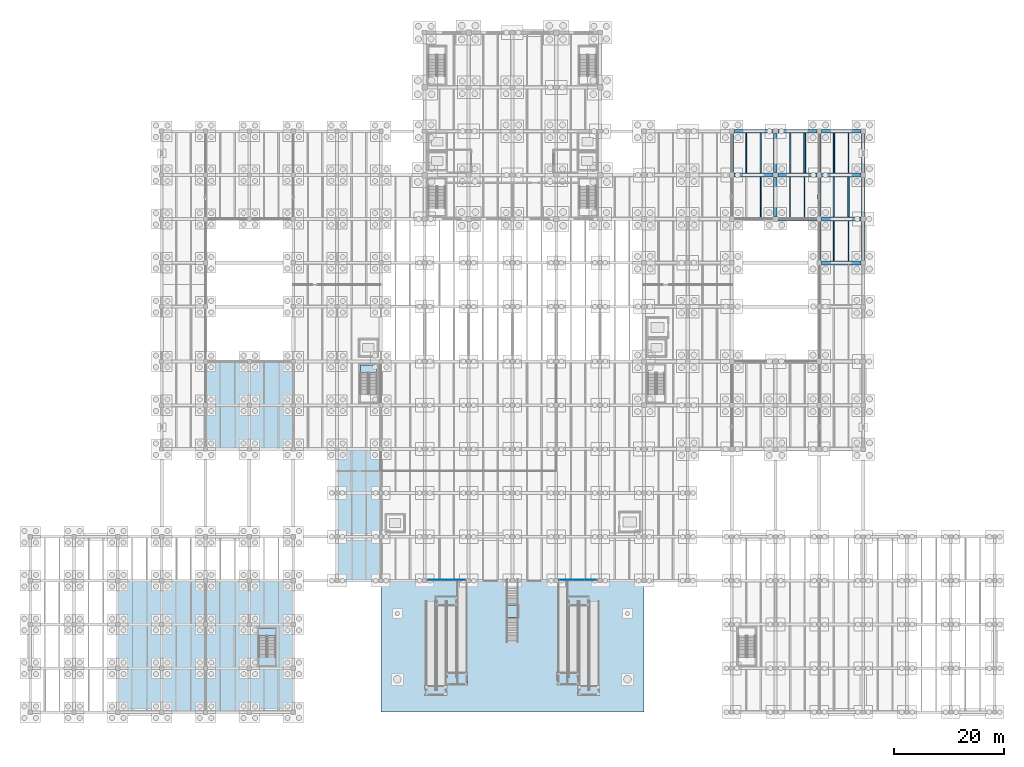
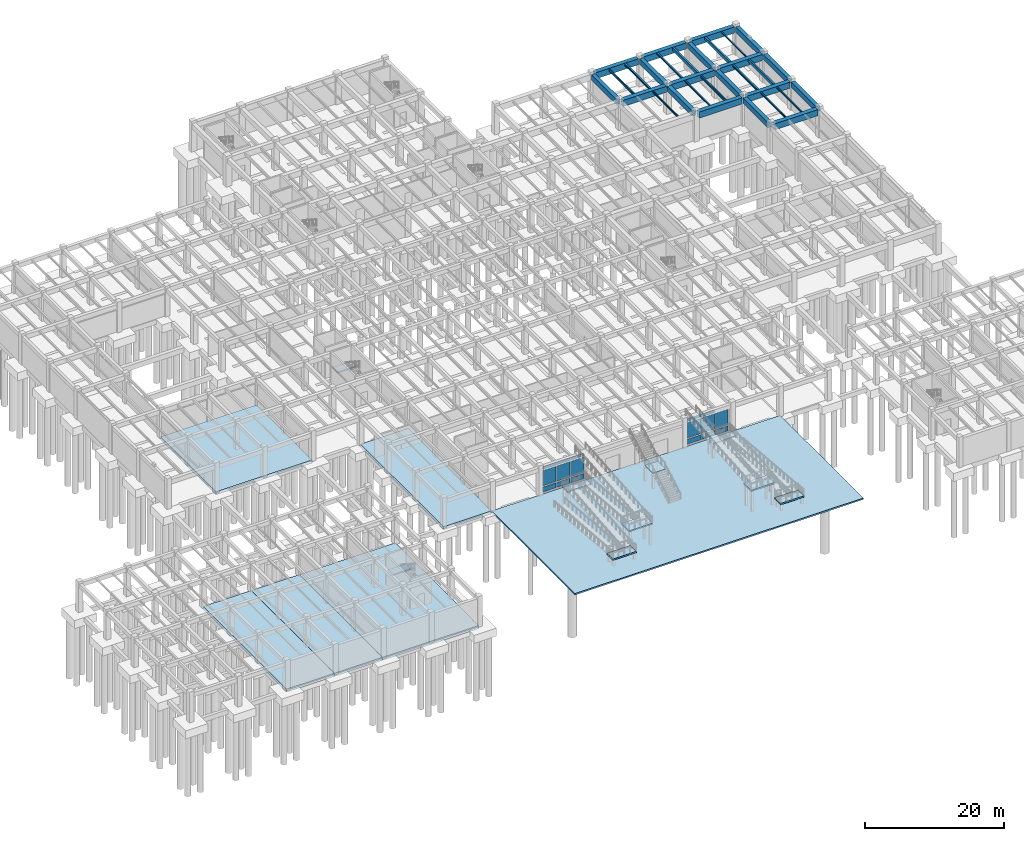
# One storey, part 22 of 44: 31 beams, 17 plates, 15 slabs, 5 elements without a shape of their own.
"""IFC4 building model written with IfcOpenShell, lengths in metres."""

from ifc_helpers import new_model, si_unit, direction, frame, origin, origin_2d, place, context, subcontext, project, spatial, polyline, rectangle, i_section, outline, extrude, material, layer, layer_set, material_profile, profile_set, type_object, element, aggregate, save


model = new_model("IFC4")

# Units and contexts
model_context = context("Model", 3, precision=1e-05, world=origin(), true_north=direction((0.0, 1.0)))
body_context = subcontext(model_context, "Body", "Model", "MODEL_VIEW")
ifc_project = project(units=[si_unit("LENGTHUNIT", "METRE"), si_unit("AREAUNIT", "SQUARE_METRE"), si_unit("VOLUMEUNIT", "CUBIC_METRE"), si_unit("PLANEANGLEUNIT", "RADIAN"), si_unit("MASSUNIT", "GRAM", prefix="KILO")], contexts=[model_context])

# Site, building, storey
site_placement = place(None, origin())
site = spatial("IfcSite", under=ifc_project, at=site_placement, CompositionType="ELEMENT")
building_placement = place(site_placement, origin())
building = spatial("IfcBuilding", under=site, at=building_placement, Name="Pecanmere Concourse Central Library", CompositionType="ELEMENT")
storey_placement = place(building_placement, frame((0.0, 0.0, -5.39990234375)))
storey = spatial("IfcBuildingStorey", under=building, at=storey_placement, Name="B1", CompositionType="ELEMENT", Elevation=-5.39990234375)

# Beams
ifc_material_1 = material(Name="Concrete C40/50", Category="concrete")
ifc_material_profile_1 = material_profile(ifc_material_1, rectangle(XDim=0.639892578125, YDim=0.949951171875, at=origin_2d()), Name="RC 640x950")
ifc_profile_set_1 = profile_set([ifc_material_profile_1], Name="Concrete C40/50")
beam_type_1 = type_object("IfcBeamType", Name="GRD_640x950", PredefinedType="USERDEFINED", material=ifc_profile_set_1)
for number, where, z_axis, x_axis, name in (
    (1, (128.0, 98.429931640625, 4.5048828125), (0.0, 1.0, 0.0), (-1.0, 0.0, 0.0), "Primary Girder Y L01-0374"),
    (2, (136.0, 90.429931640625, 4.5048828125), (0.0, 1.0, 0.0), (-1.0, 0.0, 0.0), "Primary Girder Y L01-0381"),
    (3, (136.0, 98.429931640625, 4.5048828125), (0.0, 1.0, 0.0), (-1.0, 0.0, 0.0), "Primary Girder Y L01-0382"),
    (4, (144.0, 82.429931640625, 4.5048828125), (0.0, 1.0, 0.0), (-1.0, 0.0, 0.0), "Primary Girder Y L01-0391"),
    (5, (144.0, 90.429931640625, 4.5048828125), (0.0, 1.0, 0.0), (-1.0, 0.0, 0.0), "Primary Girder Y L01-0392"),
    (6, (144.0, 98.429931640625, 4.5048828125), (0.0, 1.0, 0.0), (-1.0, 0.0, 0.0), "Primary Girder Y L01-0393"),
    (7, (152.0, 82.429931640625, 4.5048828125), (0.0, 1.0, 0.0), (-1.0, 0.0, 0.0), "Primary Girder Y L01-0402"),
    (8, (152.0, 90.429931640625, 4.5048828125), (0.0, 1.0, 0.0), (-1.0, 0.0, 0.0), "Primary Girder Y L01-0403"),
    (9, (152.0, 98.429931640625, 4.5048828125), (0.0, 1.0, 0.0), (-1.0, 0.0, 0.0), "Primary Girder Y L01-0404"),
):
    element("IfcBeam", number, at=place(storey_placement, frame(where, z_axis=z_axis, x_axis=x_axis)), inside=storey, type_object=beam_type_1, Name=name, ObjectType="GIRDER", PredefinedType="USERDEFINED", context=body_context, shape_type="SweptSolid", body=[
        extrude(rectangle(XDim=0.639892578125, YDim=0.949951171875, at=origin_2d()), origin(), (0.0, 0.0, 1.0), 7.14013671875),
    ])
ifc_material_2 = material(Name="Concrete C40/50", Category="concrete")
ifc_material_profile_2 = material_profile(ifc_material_2, rectangle(XDim=0.719970703125, YDim=1.080078125, at=origin_2d()), Name="RC 720x1080")
ifc_profile_set_2 = profile_set([ifc_material_profile_2], Name="Concrete C40/50")
beam_type_2 = type_object("IfcBeamType", Name="GRD_720x1080", PredefinedType="USERDEFINED", material=ifc_profile_set_2)
for number, where, z_axis, x_axis, name in (
    (10, (144.429931640625, 82.0, 4.43994140625), (1.0, 0.0, 0.0), (0.0, 1.0, 0.0), "Primary Girder X L01-0156"),
    (11, (136.429931640625, 90.0, 4.43994140625), (1.0, 0.0, 0.0), (0.0, 1.0, 0.0), "Primary Girder X L01-0171"),
    (12, (144.429931640625, 90.0, 4.43994140625), (1.0, 0.0, 0.0), (0.0, 1.0, 0.0), "Primary Girder X L01-0172"),
    (13, (128.429931640625, 98.0, 4.43994140625), (1.0, 0.0, 0.0), (0.0, 1.0, 0.0), "Primary Girder X L01-0186"),
    (14, (136.429931640625, 98.0, 4.43994140625), (1.0, 0.0, 0.0), (0.0, 1.0, 0.0), "Primary Girder X L01-0187"),
    (15, (144.429931640625, 98.0, 4.43994140625), (1.0, 0.0, 0.0), (0.0, 1.0, 0.0), "Primary Girder X L01-0188"),
    (16, (128.429931640625, 106.0, 4.43994140625), (1.0, 0.0, 0.0), (0.0, 1.0, 0.0), "Primary Girder X L01-0200"),
    (17, (136.429931640625, 106.0, 4.43994140625), (1.0, 0.0, 0.0), (0.0, 1.0, 0.0), "Primary Girder X L01-0201"),
    (18, (144.429931640625, 106.0, 4.43994140625), (1.0, 0.0, 0.0), (0.0, 1.0, 0.0), "Primary Girder X L01-0202"),
):
    element("IfcBeam", number, at=place(storey_placement, frame(where, z_axis=z_axis, x_axis=x_axis)), inside=storey, type_object=beam_type_2, Name=name, ObjectType="GIRDER", PredefinedType="USERDEFINED", context=body_context, shape_type="SweptSolid", body=[
        extrude(rectangle(XDim=0.719970703125, YDim=1.080078125, at=origin_2d()), origin(), (0.0, 0.0, 1.0), 7.14013671875),
    ])
ifc_material_3 = material(Name="Concrete C40/50", Category="concrete")
ifc_material_profile_3 = material_profile(ifc_material_3, rectangle(XDim=0.300048828125, YDim=0.52001953125, at=origin_2d()), Name="RC 300x520")
ifc_profile_set_3 = profile_set([ifc_material_profile_3], Name="Concrete C40/50")
beam_type_3 = type_object("IfcBeamType", Name="JST_RC_300x520", PredefinedType="JOIST", material=ifc_profile_set_3)
for number, where, z_axis, x_axis, name in (
    (19, (141.333251953125, 98.360107421875, 4.719970703125), (0.0, 1.0, 0.0), (-1.0, 0.0, 0.0), "Secondary Floor Joist L01-0712"),
    (20, (149.333251953125, 90.360107421875, 4.719970703125), (0.0, 1.0, 0.0), (-1.0, 0.0, 0.0), "Secondary Floor Joist L01-0732"),
    (21, (146.666748046875, 98.360107421875, 4.719970703125), (0.0, 1.0, 0.0), (-1.0, 0.0, 0.0), "Secondary Floor Joist L01-0733"),
):
    element("IfcBeam", number, at=place(storey_placement, frame(where, z_axis=z_axis, x_axis=x_axis)), inside=storey, type_object=beam_type_3, Name=name, PredefinedType="JOIST", context=body_context, shape_type="SweptSolid", body=[
        extrude(rectangle(XDim=0.300048828125, YDim=0.52001953125, at=origin_2d()), origin(), (0.0, 0.0, 1.0), 7.27978515625),
    ])
ifc_material_4 = material(Name="Structural steel ASTM A992 Grade 50", Category="steel")
ifc_material_profile_4 = material_profile(ifc_material_4, i_section(OverallWidth=0.1650390625, OverallDepth=0.200927734375, WebThickness=0.006103515625, FlangeThickness=0.01025390625, at=origin_2d()), Name="W200x35.9")
ifc_profile_set_4 = profile_set([ifc_material_profile_4], Name="Structural steel ASTM A992 Grade 50")
beam_type_4 = type_object("IfcBeamType", Name="SBM_W200x36", PredefinedType="LINTEL", material=ifc_profile_set_4)
beam_1_placement = place(storey_placement, frame((149.333251953125, 98.360107421875, 4.87939453125), z_axis=(0.0, 1.0, 0.0), x_axis=(-1.0, 0.0, 0.0)))
element("IfcBeam", 22, at=beam_1_placement, inside=storey, type_object=beam_type_4, Name="Secondary Floor Joist L01-0734", PredefinedType="LINTEL", context=body_context, shape_type="SweptSolid", body=[
    extrude(i_section(OverallWidth=0.1650390625, OverallDepth=0.200927734375, WebThickness=0.006103515625, FlangeThickness=0.01025390625, at=origin_2d()), origin(), (0.0, 0.0, 1.0), 7.27978515625),
])
ifc_material_5 = material(Name="Structural steel ASTM A992 Grade 50", Category="steel")
ifc_material_profile_5 = material_profile(ifc_material_5, i_section(OverallWidth=0.2041015625, OverallDepth=0.2060546875, WebThickness=0.0078125, FlangeThickness=0.0126953125, at=origin_2d()), Name="W200x52")
ifc_profile_set_5 = profile_set([ifc_material_profile_5], Name="Structural steel ASTM A992 Grade 50")
beam_type_5 = type_object("IfcBeamType", Name="SBM_W200x52", PredefinedType="JOIST", material=ifc_profile_set_5)
beam_2_placement = place(storey_placement, frame((138.666748046875, 90.360107421875, 4.876953125), z_axis=(0.0, 1.0, 0.0), x_axis=(-1.0, 0.0, 0.0)))
element("IfcBeam", 23, at=beam_2_placement, inside=storey, type_object=beam_type_5, Name="Secondary Floor Joist L01-0709", PredefinedType="JOIST", context=body_context, shape_type="SweptSolid", body=[
    extrude(i_section(OverallWidth=0.2041015625, OverallDepth=0.2060546875, WebThickness=0.0078125, FlangeThickness=0.0126953125, at=origin_2d()), origin(), (0.0, 0.0, 1.0), 7.27978515625),
])
ifc_material_6 = material(Name="Structural steel ASTM A992 Grade 50", Category="steel")
ifc_material_profile_6 = material_profile(ifc_material_6, i_section(OverallWidth=0.201904296875, OverallDepth=0.2470703125, WebThickness=0.00732421875, FlangeThickness=0.010986328125, at=origin_2d()), Name="W250x49.1")
ifc_profile_set_6 = profile_set([ifc_material_profile_6], Name="Structural steel ASTM A992 Grade 50")
beam_type_6 = type_object("IfcBeamType", Name="SBM_W250x49", PredefinedType="JOIST", material=ifc_profile_set_6)
beam_3_placement = place(storey_placement, frame((149.333251953125, 82.360107421875, 4.8564453125), z_axis=(0.0, 1.0, 0.0), x_axis=(-1.0, 0.0, 0.0)))
element("IfcBeam", 24, at=beam_3_placement, inside=storey, type_object=beam_type_6, Name="Secondary Floor Joist L01-0730", PredefinedType="JOIST", context=body_context, shape_type="SweptSolid", body=[
    extrude(i_section(OverallWidth=0.201904296875, OverallDepth=0.2470703125, WebThickness=0.00732421875, FlangeThickness=0.010986328125, at=origin_2d()), origin(), (0.0, 0.0, 1.0), 7.27978515625),
])
ifc_material_7 = material(Name="Structural steel ASTM A992 Grade 50", Category="steel")
ifc_material_profile_7 = material_profile(ifc_material_7, i_section(OverallWidth=0.25390625, OverallDepth=0.2529296875, WebThickness=0.008544921875, FlangeThickness=0.01416015625, at=origin_2d()), Name="W250x73")
ifc_profile_set_7 = profile_set([ifc_material_profile_7], Name="Structural steel ASTM A992 Grade 50")
beam_type_7 = type_object("IfcBeamType", Name="SBM_W250x73", PredefinedType="BEAM", material=ifc_profile_set_7)
beam_4_placement = place(storey_placement, frame((138.666748046875, 98.360107421875, 4.853515625), z_axis=(0.0, 1.0, 0.0), x_axis=(-1.0, 0.0, 0.0)))
element("IfcBeam", 25, at=beam_4_placement, inside=storey, type_object=beam_type_7, Name="Secondary Floor Joist L01-0711", PredefinedType="BEAM", context=body_context, shape_type="SweptSolid", body=[
    extrude(i_section(OverallWidth=0.25390625, OverallDepth=0.2529296875, WebThickness=0.008544921875, FlangeThickness=0.01416015625, at=origin_2d()), origin(), (0.0, 0.0, 1.0), 7.27978515625),
])
ifc_material_8 = material(Name="Structural steel ASTM A992 Grade 50", Category="steel")
ifc_material_profile_8 = material_profile(ifc_material_8, i_section(OverallWidth=0.1669921875, OverallDepth=0.31689453125, WebThickness=0.007568359375, FlangeThickness=0.01318359375, at=origin_2d()), Name="W310x52")
ifc_profile_set_8 = profile_set([ifc_material_profile_8], Name="Structural steel ASTM A992 Grade 50")
beam_type_8 = type_object("IfcBeamType", Name="SBM_W310x52", PredefinedType="JOIST", material=ifc_profile_set_8)
for number, where, z_axis, x_axis, name in (
    (26, (133.333251953125, 90.360107421875, 4.8212890625), (0.0, 1.0, 0.0), (-1.0, 0.0, 0.0), "Secondary Floor Joist L01-0694"),
    (27, (146.666748046875, 82.360107421875, 4.8212890625), (0.0, 1.0, 0.0), (-1.0, 0.0, 0.0), "Secondary Floor Joist L01-0729"),
):
    element("IfcBeam", number, at=place(storey_placement, frame(where, z_axis=z_axis, x_axis=x_axis)), inside=storey, type_object=beam_type_8, Name=name, PredefinedType="JOIST", context=body_context, shape_type="SweptSolid", body=[
        extrude(i_section(OverallWidth=0.1669921875, OverallDepth=0.31689453125, WebThickness=0.007568359375, FlangeThickness=0.01318359375, at=origin_2d()), origin(), (0.0, 0.0, 1.0), 7.27978515625),
    ])
ifc_material_9 = material(Name="Structural steel ASTM A992 Grade 50", Category="steel")
ifc_material_profile_9 = material_profile(ifc_material_9, i_section(OverallWidth=0.25390625, OverallDepth=0.35302734375, WebThickness=0.009521484375, FlangeThickness=0.016357421875, at=origin_2d()), Name="W360x91")
ifc_profile_set_9 = profile_set([ifc_material_profile_9], Name="Structural steel ASTM A992 Grade 50")
beam_type_9 = type_object("IfcBeamType", Name="SBM_W360x91", PredefinedType="BEAM", material=ifc_profile_set_9)
for number, where, z_axis, x_axis, name in (
    (28, (133.333251953125, 98.360107421875, 4.803466796875), (0.0, 1.0, 0.0), (-1.0, 0.0, 0.0), "Secondary Floor Joist L01-0696"),
    (29, (146.666748046875, 90.360107421875, 4.803466796875), (0.0, 1.0, 0.0), (-1.0, 0.0, 0.0), "Secondary Floor Joist L01-0731"),
):
    element("IfcBeam", number, at=place(storey_placement, frame(where, z_axis=z_axis, x_axis=x_axis)), inside=storey, type_object=beam_type_9, Name=name, PredefinedType="BEAM", context=body_context, shape_type="SweptSolid", body=[
        extrude(i_section(OverallWidth=0.25390625, OverallDepth=0.35302734375, WebThickness=0.009521484375, FlangeThickness=0.016357421875, at=origin_2d()), origin(), (0.0, 0.0, 1.0), 7.27978515625),
    ])
ifc_material_10 = material(Name="Structural steel ASTM A992 Grade 50", Category="steel")
ifc_material_profile_10 = material_profile(ifc_material_10, i_section(OverallWidth=0.180908203125, OverallDepth=0.4169921875, WebThickness=0.010986328125, FlangeThickness=0.018310546875, at=origin_2d()), Name="W410x85")
ifc_profile_set_10 = profile_set([ifc_material_profile_10], Name="Structural steel ASTM A992 Grade 50")
beam_type_10 = type_object("IfcBeamType", Name="SBM_W410x85", PredefinedType="BEAM", material=ifc_profile_set_10)
beam_5_placement = place(storey_placement, frame((130.666748046875, 98.360107421875, 4.771484375), z_axis=(0.0, 1.0, 0.0), x_axis=(-1.0, 0.0, 0.0)))
element("IfcBeam", 30, at=beam_5_placement, inside=storey, type_object=beam_type_10, Name="Secondary Floor Joist L01-0695", PredefinedType="BEAM", context=body_context, shape_type="SweptSolid", body=[
    extrude(i_section(OverallWidth=0.180908203125, OverallDepth=0.4169921875, WebThickness=0.010986328125, FlangeThickness=0.018310546875, at=origin_2d()), origin(), (0.0, 0.0, 1.0), 7.27978515625),
])
ifc_material_11 = material(Name="Structural steel ASTM A992 Grade 50", Category="steel")
ifc_material_profile_11 = material_profile(ifc_material_11, i_section(OverallWidth=0.18994140625, OverallDepth=0.45703125, WebThickness=0.009033203125, FlangeThickness=0.014404296875, at=origin_2d()), Name="W460x74")
ifc_profile_set_11 = profile_set([ifc_material_profile_11], Name="Structural steel ASTM A992 Grade 50")
beam_type_11 = type_object("IfcBeamType", Name="SBM_W460x74", PredefinedType="BEAM", material=ifc_profile_set_11)
beam_6_placement = place(storey_placement, frame((141.333251953125, 90.360107421875, 4.75146484375), z_axis=(0.0, 1.0, 0.0), x_axis=(-1.0, 0.0, 0.0)))
element("IfcBeam", 31, at=beam_6_placement, inside=storey, type_object=beam_type_11, Name="Secondary Floor Joist L01-0710", PredefinedType="BEAM", context=body_context, shape_type="SweptSolid", body=[
    extrude(i_section(OverallWidth=0.18994140625, OverallDepth=0.45703125, WebThickness=0.009033203125, FlangeThickness=0.014404296875, at=origin_2d()), origin(), (0.0, 0.0, 1.0), 7.27978515625),
])

# Curtain wall, plates
ifc_material_12 = material(Name="Anodized bronze aluminium alloy 6063-T6", Category="aluminium")
curtain_wall_type = type_object("IfcCurtainWallType", Name="CW_PORTAL_CLEAR", PredefinedType="USERDEFINED", material=ifc_material_12)
curtain_wall_1_placement = place(storey_placement, origin())
curtain_wall_1 = element("IfcCurtainWall", 32, at=curtain_wall_1_placement, inside=storey, type_object=curtain_wall_type, Name="Unitised Curtain Wall CW-03 B1-171", ObjectType="UNITISED CURTAIN WALL", PredefinedType="USERDEFINED")
ifc_material_13 = material(Name="White ceramic-fritted insulated spandrel glazing", Category="glass")
ifc_layer_1 = layer(ifc_material_13, 0.06396484375, Name="CWP_SPN_64")
ifc_layer_set_1 = layer_set([ifc_layer_1], Name="White ceramic-fritted insulated spandrel glazing")
plate_type_1 = type_object("IfcPlateType", Name="CWP_SPN_64", PredefinedType="CURTAIN_PANEL", material=ifc_layer_set_1)
plate_1_placement = place(storey_placement, frame((73.68798828125, 24.14990234375, 0.2099609375), z_axis=(0.0, 0.0, 1.0), x_axis=(1.0, 0.0, 0.0)))
plate_1 = element("IfcPlate", 33, at=plate_1_placement, type_object=plate_type_1, Name="CW-03 Spandrel Panel 1.1", PredefinedType="CURTAIN_PANEL", context=body_context, shape_type="SweptSolid", body=[
    extrude(rectangle(XDim=2.205810546875, YDim=0.0419921875, at=origin_2d()), origin(), (0.0, 0.0, 1.0), 0.885009765625),
])
plate_2_placement = place(storey_placement, frame((76.0, 24.14990234375, 0.2099609375), z_axis=(0.0, 0.0, 1.0), x_axis=(1.0, 0.0, 0.0)))
plate_2 = element("IfcPlate", 34, at=plate_2_placement, type_object=plate_type_1, Name="CW-03 Spandrel Panel 2.1", PredefinedType="CURTAIN_PANEL", context=body_context, shape_type="SweptSolid", body=[
    extrude(rectangle(XDim=2.248291015625, YDim=0.0419921875, at=origin_2d()), origin(), (0.0, 0.0, 1.0), 0.885009765625),
])
plate_3_placement = place(storey_placement, frame((78.31201171875, 24.14990234375, 0.2099609375), z_axis=(0.0, 0.0, 1.0), x_axis=(1.0, 0.0, 0.0)))
plate_3 = element("IfcPlate", 35, at=plate_3_placement, type_object=plate_type_1, Name="CW-03 Spandrel Panel 3.1", PredefinedType="CURTAIN_PANEL", context=body_context, shape_type="SweptSolid", body=[
    extrude(rectangle(XDim=2.205810546875, YDim=0.0419921875, at=origin_2d()), origin(), (0.0, 0.0, 1.0), 0.885009765625),
])

curtain_wall_2_placement = place(storey_placement, origin())
curtain_wall_2 = element("IfcCurtainWall", 36, at=curtain_wall_2_placement, inside=storey, type_object=curtain_wall_type, Name="Unitised Curtain Wall CW-03 B1-172", ObjectType="UNITISED CURTAIN WALL", PredefinedType="USERDEFINED")
plate_4_placement = place(storey_placement, frame((97.68798828125, 24.14990234375, 0.2099609375), z_axis=(0.0, 0.0, 1.0), x_axis=(1.0, 0.0, 0.0)))
plate_4 = element("IfcPlate", 37, at=plate_4_placement, type_object=plate_type_1, Name="CW-03 Spandrel Panel 1.1", PredefinedType="CURTAIN_PANEL", context=body_context, shape_type="SweptSolid", body=[
    extrude(rectangle(XDim=2.205810546875, YDim=0.0419921875, at=origin_2d()), origin(), (0.0, 0.0, 1.0), 0.885009765625),
])
plate_5_placement = place(storey_placement, frame((100.0, 24.14990234375, 0.2099609375), z_axis=(0.0, 0.0, 1.0), x_axis=(1.0, 0.0, 0.0)))
plate_5 = element("IfcPlate", 38, at=plate_5_placement, type_object=plate_type_1, Name="CW-03 Spandrel Panel 2.1", PredefinedType="CURTAIN_PANEL", context=body_context, shape_type="SweptSolid", body=[
    extrude(rectangle(XDim=2.248291015625, YDim=0.0419921875, at=origin_2d()), origin(), (0.0, 0.0, 1.0), 0.885009765625),
])
plate_6_placement = place(storey_placement, frame((102.31201171875, 24.14990234375, 0.2099609375), z_axis=(0.0, 0.0, 1.0), x_axis=(1.0, 0.0, 0.0)))
plate_6 = element("IfcPlate", 39, at=plate_6_placement, type_object=plate_type_1, Name="CW-03 Spandrel Panel 3.1", PredefinedType="CURTAIN_PANEL", context=body_context, shape_type="SweptSolid", body=[
    extrude(rectangle(XDim=2.205810546875, YDim=0.0419921875, at=origin_2d()), origin(), (0.0, 0.0, 1.0), 0.885009765625),
])

# Plate
ifc_material_14 = material(Name="Low-iron clear insulated glazing", Category="glass")
ifc_layer_2 = layer(ifc_material_14, 0.0419921875, Name="CWP_VIS_42")
ifc_layer_set_2 = layer_set([ifc_layer_2], Name="Low-iron clear insulated glazing")
plate_type_2 = type_object("IfcPlateType", Name="CWP_VIS_42", PredefinedType="CURTAIN_PANEL", material=ifc_layer_set_2)
plate_7_placement = place(storey_placement, frame((73.68798828125, 24.14990234375, 1.304931640625), z_axis=(0.0, 0.0, 1.0), x_axis=(1.0, 0.0, 0.0)))
plate_7 = element("IfcPlate", 40, at=plate_7_placement, type_object=plate_type_2, Name="CW-03 Vision Panel 1.2", PredefinedType="CURTAIN_PANEL", context=body_context, shape_type="SweptSolid", body=[
    extrude(rectangle(XDim=2.205810546875, YDim=0.0419921875, at=origin_2d()), origin(), (0.0, 0.0, 1.0), 2.68994140625),
])

plate_8_placement = place(storey_placement, frame((73.68798828125, 24.14990234375, 4.205078125), z_axis=(0.0, 0.0, 1.0), x_axis=(1.0, 0.0, 0.0)))
plate_8 = element("IfcPlate", 41, at=plate_8_placement, type_object=plate_type_2, Name="CW-03 Vision Panel 1.3", PredefinedType="CURTAIN_PANEL", context=body_context, shape_type="SweptSolid", body=[
    extrude(rectangle(XDim=2.205810546875, YDim=0.0419921875, at=origin_2d()), origin(), (0.0, 0.0, 1.0), 0.485107421875),
])

plate_9_placement = place(storey_placement, frame((76.0, 24.14990234375, 1.304931640625), z_axis=(0.0, 0.0, 1.0), x_axis=(1.0, 0.0, 0.0)))
plate_9 = element("IfcPlate", 42, at=plate_9_placement, type_object=plate_type_2, Name="CW-03 Vision Panel 2.2", PredefinedType="CURTAIN_PANEL", context=body_context, shape_type="SweptSolid", body=[
    extrude(rectangle(XDim=2.248291015625, YDim=0.0419921875, at=origin_2d()), origin(), (0.0, 0.0, 1.0), 2.68994140625),
])

plate_10_placement = place(storey_placement, frame((76.0, 24.14990234375, 4.205078125), z_axis=(0.0, 0.0, 1.0), x_axis=(1.0, 0.0, 0.0)))
plate_10 = element("IfcPlate", 43, at=plate_10_placement, type_object=plate_type_2, Name="CW-03 Vision Panel 2.3", PredefinedType="CURTAIN_PANEL", context=body_context, shape_type="SweptSolid", body=[
    extrude(rectangle(XDim=2.248291015625, YDim=0.0419921875, at=origin_2d()), origin(), (0.0, 0.0, 1.0), 0.485107421875),
])

plate_11_placement = place(storey_placement, frame((78.31201171875, 24.14990234375, 1.304931640625), z_axis=(0.0, 0.0, 1.0), x_axis=(1.0, 0.0, 0.0)))
plate_11 = element("IfcPlate", 44, at=plate_11_placement, type_object=plate_type_2, Name="CW-03 Vision Panel 3.2", PredefinedType="CURTAIN_PANEL", context=body_context, shape_type="SweptSolid", body=[
    extrude(rectangle(XDim=2.205810546875, YDim=0.0419921875, at=origin_2d()), origin(), (0.0, 0.0, 1.0), 2.68994140625),
])

plate_12_placement = place(storey_placement, frame((78.31201171875, 24.14990234375, 4.205078125), z_axis=(0.0, 0.0, 1.0), x_axis=(1.0, 0.0, 0.0)))
plate_12 = element("IfcPlate", 45, at=plate_12_placement, type_object=plate_type_2, Name="CW-03 Vision Panel 3.3", PredefinedType="CURTAIN_PANEL", context=body_context, shape_type="SweptSolid", body=[
    extrude(rectangle(XDim=2.205810546875, YDim=0.0419921875, at=origin_2d()), origin(), (0.0, 0.0, 1.0), 0.485107421875),
])

aggregate(curtain_wall_1, [plate_1, plate_7, plate_8, plate_2, plate_9, plate_10, plate_3, plate_11, plate_12])

plate_13_placement = place(storey_placement, frame((97.68798828125, 24.14990234375, 1.304931640625), z_axis=(0.0, 0.0, 1.0), x_axis=(1.0, 0.0, 0.0)))
plate_13 = element("IfcPlate", 46, at=plate_13_placement, type_object=plate_type_2, Name="CW-03 Vision Panel 1.2", PredefinedType="CURTAIN_PANEL", context=body_context, shape_type="SweptSolid", body=[
    extrude(rectangle(XDim=2.205810546875, YDim=0.0419921875, at=origin_2d()), origin(), (0.0, 0.0, 1.0), 2.68994140625),
])

plate_14_placement = place(storey_placement, frame((97.68798828125, 24.14990234375, 4.205078125), z_axis=(0.0, 0.0, 1.0), x_axis=(1.0, 0.0, 0.0)))
plate_14 = element("IfcPlate", 47, at=plate_14_placement, type_object=plate_type_2, Name="CW-03 Vision Panel 1.3", PredefinedType="CURTAIN_PANEL", context=body_context, shape_type="SweptSolid", body=[
    extrude(rectangle(XDim=2.205810546875, YDim=0.0419921875, at=origin_2d()), origin(), (0.0, 0.0, 1.0), 0.485107421875),
])

plate_15_placement = place(storey_placement, frame((100.0, 24.14990234375, 1.304931640625), z_axis=(0.0, 0.0, 1.0), x_axis=(1.0, 0.0, 0.0)))
plate_15 = element("IfcPlate", 48, at=plate_15_placement, type_object=plate_type_2, Name="CW-03 Vision Panel 2.2", PredefinedType="CURTAIN_PANEL", context=body_context, shape_type="SweptSolid", body=[
    extrude(rectangle(XDim=2.248291015625, YDim=0.0419921875, at=origin_2d()), origin(), (0.0, 0.0, 1.0), 2.68994140625),
])

plate_16_placement = place(storey_placement, frame((100.0, 24.14990234375, 4.205078125), z_axis=(0.0, 0.0, 1.0), x_axis=(1.0, 0.0, 0.0)))
plate_16 = element("IfcPlate", 49, at=plate_16_placement, type_object=plate_type_2, Name="CW-03 Vision Panel 2.3", PredefinedType="CURTAIN_PANEL", context=body_context, shape_type="SweptSolid", body=[
    extrude(rectangle(XDim=2.248291015625, YDim=0.0419921875, at=origin_2d()), origin(), (0.0, 0.0, 1.0), 0.485107421875),
])

plate_17_placement = place(storey_placement, frame((102.31201171875, 24.14990234375, 1.304931640625), z_axis=(0.0, 0.0, 1.0), x_axis=(1.0, 0.0, 0.0)))
plate_17 = element("IfcPlate", 50, at=plate_17_placement, type_object=plate_type_2, Name="CW-03 Vision Panel 3.2", PredefinedType="CURTAIN_PANEL", context=body_context, shape_type="SweptSolid", body=[
    extrude(rectangle(XDim=2.205810546875, YDim=0.0419921875, at=origin_2d()), origin(), (0.0, 0.0, 1.0), 2.68994140625),
])

aggregate(curtain_wall_2, [plate_4, plate_13, plate_14, plate_5, plate_15, plate_16, plate_6, plate_17])

# Slabs
ifc_material_15 = material(Name="Concrete C35/45", Category="concrete")
ifc_layer_3 = layer(ifc_material_15, 0.550048828125, Name="SLAB_BASE_550")
ifc_layer_set_3 = layer_set([ifc_layer_3], Name="Concrete C35/45")
slab_type_1 = type_object("IfcSlabType", Name="SLAB_BASE_550", PredefinedType="BASESLAB", material=ifc_layer_set_3)
slab_1_placement = place(storey_placement, frame((0.0, 0.0, -0.550048828125)))
element("IfcSlab", 51, at=slab_1_placement, inside=storey, type_object=slab_type_1, Name="Floor Slab V3 B1-014", PredefinedType="BASESLAB", context=body_context, shape_type="SweptSolid", body=[
    extrude(outline(polyline([(48.0, 49.60009765625), (47.919921875, 49.60009765625), (47.919921875, 49.0), (48.0, 49.0), (48.0, 48.0), (32.0, 48.0), (32.0, 64.0), (48.0, 64.0), (48.0, 49.60009765625)])), origin(), (0.0, 0.0, 1.0), 0.550048828125),
])
slab_2_placement = place(storey_placement, frame((0.0, 0.0, -0.550048828125)))
element("IfcSlab", 52, at=slab_2_placement, inside=storey, type_object=slab_type_1, Name="Floor Slab V4 B1-021", PredefinedType="BASESLAB", context=body_context, shape_type="SweptSolid", body=[
    extrude(outline(polyline([(24.0, 1.60009765625), (23.919921875, 1.60009765625), (23.919921875, 1.0), (24.0, 1.0), (24.0, 0.0), (16.0, 0.0), (16.0, 24.0), (24.0, 24.0), (24.0, 1.60009765625)])), origin(), (0.0, 0.0, 1.0), 0.550048828125),
])
slab_3_placement = place(storey_placement, frame((0.0, 0.0, -0.550048828125)))
element("IfcSlab", 53, at=slab_3_placement, inside=storey, type_object=slab_type_1, Name="Floor Slab V4 B1-022", PredefinedType="BASESLAB", context=body_context, shape_type="SweptSolid", body=[
    extrude(outline(polyline([(24.0, 0.0), (24.0, 24.0), (32.0, 24.0), (32.0, 1.60009765625), (31.919921875, 1.60009765625), (31.919921875, 1.0), (32.0, 1.0), (32.0, 0.0), (24.0, 0.0)])), origin(), (0.0, 0.0, 1.0), 0.550048828125),
])
slab_4_placement = place(storey_placement, frame((0.0, 0.0, -0.550048828125)))
element("IfcSlab", 54, at=slab_4_placement, inside=storey, type_object=slab_type_1, Name="Floor Slab V4 B1-023", PredefinedType="BASESLAB", context=body_context, shape_type="SweptSolid", body=[
    extrude(outline(polyline([(32.0, 0.0), (32.0, 24.0), (48.0, 24.0), (48.0, 1.60009765625), (47.919921875, 1.60009765625), (47.919921875, 1.0), (48.0, 1.0), (48.0, 0.0), (32.0, 0.0)])), origin(), (0.0, 0.0, 1.0), 0.550048828125),
])
slab_5_placement = place(storey_placement, frame((0.0, 0.0, -0.550048828125)))
element("IfcSlab", 55, at=slab_5_placement, inside=storey, type_object=slab_type_1, Name="Floor Slab V6 B1-027", PredefinedType="BASESLAB", context=body_context, shape_type="SweptSolid", body=[
    extrude(outline(polyline([(64.0, 48.0), (64.0, 25.60009765625), (63.919921875, 25.60009765625), (63.919921875, 25.0), (64.0, 25.0), (64.0, 24.0), (56.0, 24.0), (56.0, 48.0), (64.0, 48.0)])), origin(), (0.0, 0.0, 1.0), 0.550048828125),
])

# Stair, slab
ifc_material_16 = material(Name="Concrete C35/45", Category="concrete")
stair_type_1 = type_object("IfcStairType", Name="STAIR_TYPE_ST-06-1800", PredefinedType="USERDEFINED", material=ifc_material_16)
stair_1_placement = place(storey_placement, origin())
stair_1 = element("IfcStair", 56, at=stair_1_placement, inside=storey, type_object=stair_type_1, Name="B1 Protected Stair ST-06", ObjectType="TWO_RETURN_STAIR", PredefinedType="USERDEFINED")
ifc_material_17 = material(Name="Concrete C35/45", Category="concrete")
ifc_layer_4 = layer(ifc_material_17, 0.199951171875, Name="SLAB_LANDING_200")
ifc_layer_set_4 = layer_set([ifc_layer_4], Name="Concrete C35/45")
slab_type_2 = type_object("IfcSlabType", Name="SLAB_LANDING_200", PredefinedType="LANDING", material=ifc_layer_set_4)
slab_6_placement = place(storey_placement, frame((0.0, 0.0, 2.5)))
slab_6 = element("IfcSlab", 57, at=slab_6_placement, type_object=slab_type_2, Name="ST-06-1800 landing 1", PredefinedType="LANDING", context=body_context, shape_type="SweptSolid", body=[
    extrude(outline(polyline([(63.300048828125, 61.919921875), (63.300048828125, 63.3701171875), (60.239990234375, 63.3701171875), (60.239990234375, 61.919921875), (63.300048828125, 61.919921875)])), origin(), (0.0, 0.0, 1.0), 0.199951171875),
])
aggregate(stair_1, [slab_6])

ifc_material_18 = material(Name="Concrete C35/45", Category="concrete")
stair_type_2 = type_object("IfcStairType", Name="STAIR_TYPE_ST-07-1800", PredefinedType="USERDEFINED", material=ifc_material_18)
stair_2_placement = place(storey_placement, origin())
stair_2 = element("IfcStair", 58, at=stair_2_placement, inside=storey, type_object=stair_type_2, Name="B1 Protected Stair ST-07", ObjectType="TWO_RETURN_STAIR", PredefinedType="USERDEFINED")
slab_7_placement = place(storey_placement, frame((0.0, 0.0, 2.5)))
slab_7 = element("IfcSlab", 59, at=slab_7_placement, type_object=slab_type_2, Name="ST-07-1800 landing 1", PredefinedType="LANDING", context=body_context, shape_type="SweptSolid", body=[
    extrude(outline(polyline([(44.760009765625, 13.919921875), (44.760009765625, 15.3701171875), (41.699951171875, 15.3701171875), (41.699951171875, 13.919921875), (44.760009765625, 13.919921875)])), origin(), (0.0, 0.0, 1.0), 0.199951171875),
])
aggregate(stair_2, [slab_7])

ifc_material_19 = material(Name="Concrete C35/45", Category="concrete")
stair_type_3 = type_object("IfcStairType", Name="STAIR_TYPE_ST-M1", PredefinedType="STRAIGHT_RUN_STAIR", material=ifc_material_19)
stair_3_placement = place(storey_placement, origin())
stair_3 = element("IfcStair", 60, at=stair_3_placement, inside=storey, type_object=stair_type_3, Name="Monumental Civic Stair ST-M1", PredefinedType="STRAIGHT_RUN_STAIR")
ifc_material_20 = material(Name="Concrete C40/50", Category="concrete")
ifc_layer_5 = layer(ifc_material_20, 0.239990234375, Name="SLAB_LANDING_240")
ifc_layer_set_5 = layer_set([ifc_layer_5], Name="Concrete C40/50")
slab_type_3 = type_object("IfcSlabType", Name="SLAB_LANDING_240", PredefinedType="LANDING", material=ifc_layer_set_5)
slab_8_placement = place(storey_placement, frame((0.0, 0.0, 2.4599609375)))
slab_8 = element("IfcSlab", 61, at=slab_8_placement, type_object=slab_type_3, Name="ST-M1 Mid Landing", PredefinedType="LANDING", context=body_context, shape_type="SweptSolid", body=[
    extrude(outline(polyline([(89.050048828125, 17.280029296875), (89.050048828125, 19.530029296875), (86.949951171875, 19.530029296875), (86.949951171875, 17.280029296875), (89.050048828125, 17.280029296875)])), origin(), (0.0, 0.0, 1.0), 0.239990234375),
])
aggregate(stair_3, [slab_8])

# Slabs
slab_9_placement = place(storey_placement, frame((0.0, 0.0, 1.10986328125)))
element("IfcSlab", 62, at=slab_9_placement, inside=storey, type_object=slab_type_3, Name="Accessible Ramp Landing RMP_LND_WS1", PredefinedType="LANDING", context=body_context, shape_type="SweptSolid", body=[
    extrude(outline(polyline([(72.10009765625, 3.10009765625), (76.0, 3.10009765625), (76.0, 4.800048828125), (72.10009765625, 4.800048828125), (72.10009765625, 3.10009765625)])), origin(), (0.0, 0.0, 1.0), 0.239990234375),
])
slab_10_placement = place(storey_placement, frame((0.0, 0.0, 2.4599609375)))
element("IfcSlab", 63, at=slab_10_placement, inside=storey, type_object=slab_type_3, Name="Accessible Ramp Landing RMP_LND_WN1", PredefinedType="LANDING", context=body_context, shape_type="SweptSolid", body=[
    extrude(outline(polyline([(74.0, 19.39990234375), (77.89990234375, 19.39990234375), (77.89990234375, 21.10009765625), (74.0, 21.10009765625), (74.0, 19.39990234375)])), origin(), (0.0, 0.0, 1.0), 0.239990234375),
])
slab_11_placement = place(storey_placement, frame((0.0, 0.0, 3.60986328125)))
element("IfcSlab", 64, at=slab_11_placement, inside=storey, type_object=slab_type_3, Name="Accessible Ramp Landing RMP_LND_WS2", PredefinedType="LANDING", context=body_context, shape_type="SweptSolid", body=[
    extrude(outline(polyline([(75.89990234375, 5.0), (79.800048828125, 5.0), (79.800048828125, 7.199951171875), (75.89990234375, 7.199951171875), (75.89990234375, 5.0)])), origin(), (0.0, 0.0, 1.0), 0.239990234375),
])
slab_12_placement = place(storey_placement, frame((0.0, 0.0, 1.10986328125)))
element("IfcSlab", 65, at=slab_12_placement, inside=storey, type_object=slab_type_3, Name="Accessible Ramp Landing RMP_LND_ES1", PredefinedType="LANDING", context=body_context, shape_type="SweptSolid", body=[
    extrude(outline(polyline([(100.0, 3.10009765625), (103.89990234375, 3.10009765625), (103.89990234375, 4.800048828125), (100.0, 4.800048828125), (100.0, 3.10009765625)])), origin(), (0.0, 0.0, 1.0), 0.239990234375),
])
slab_13_placement = place(storey_placement, frame((0.0, 0.0, 2.4599609375)))
element("IfcSlab", 66, at=slab_13_placement, inside=storey, type_object=slab_type_3, Name="Accessible Ramp Landing RMP_LND_EN1", PredefinedType="LANDING", context=body_context, shape_type="SweptSolid", body=[
    extrude(outline(polyline([(98.10009765625, 19.39990234375), (102.0, 19.39990234375), (102.0, 21.10009765625), (98.10009765625, 21.10009765625), (98.10009765625, 19.39990234375)])), origin(), (0.0, 0.0, 1.0), 0.239990234375),
])
slab_14_placement = place(storey_placement, frame((0.0, 0.0, 3.60986328125)))
element("IfcSlab", 67, at=slab_14_placement, inside=storey, type_object=slab_type_3, Name="Accessible Ramp Landing RMP_LND_ES2", PredefinedType="LANDING", context=body_context, shape_type="SweptSolid", body=[
    extrude(outline(polyline([(96.199951171875, 5.0), (100.10009765625, 5.0), (100.10009765625, 7.199951171875), (96.199951171875, 7.199951171875), (96.199951171875, 5.0)])), origin(), (0.0, 0.0, 1.0), 0.239990234375),
])
ifc_material_21 = material(Name="Concrete C35/45", Category="concrete")
ifc_layer_6 = layer(ifc_material_21, 0.2548828125, Name="SLAB_TERR_255")
ifc_layer_set_6 = layer_set([ifc_layer_6], Name="Concrete C35/45")
slab_type_4 = type_object("IfcSlabType", Name="SLAB_TERR_255", PredefinedType="FLOOR", material=ifc_layer_set_6)
slab_15_placement = place(storey_placement, frame((0.0, 0.0, -0.255126953125)))
element("IfcSlab", 68, at=slab_15_placement, inside=storey, type_object=slab_type_4, Name="Sunken Metro Forecourt Plaza", PredefinedType="FLOOR", context=body_context, shape_type="SweptSolid", body=[
    extrude(outline(polyline([(111.9951171875, 0.0048828125), (64.0048828125, 0.0048828125), (64.0048828125, 23.9951171875), (111.9951171875, 23.9951171875), (111.9951171875, 0.0048828125)])), origin(), (0.0, 0.0, 1.0), 0.255126953125),
])

save(model, "model.ifc")
